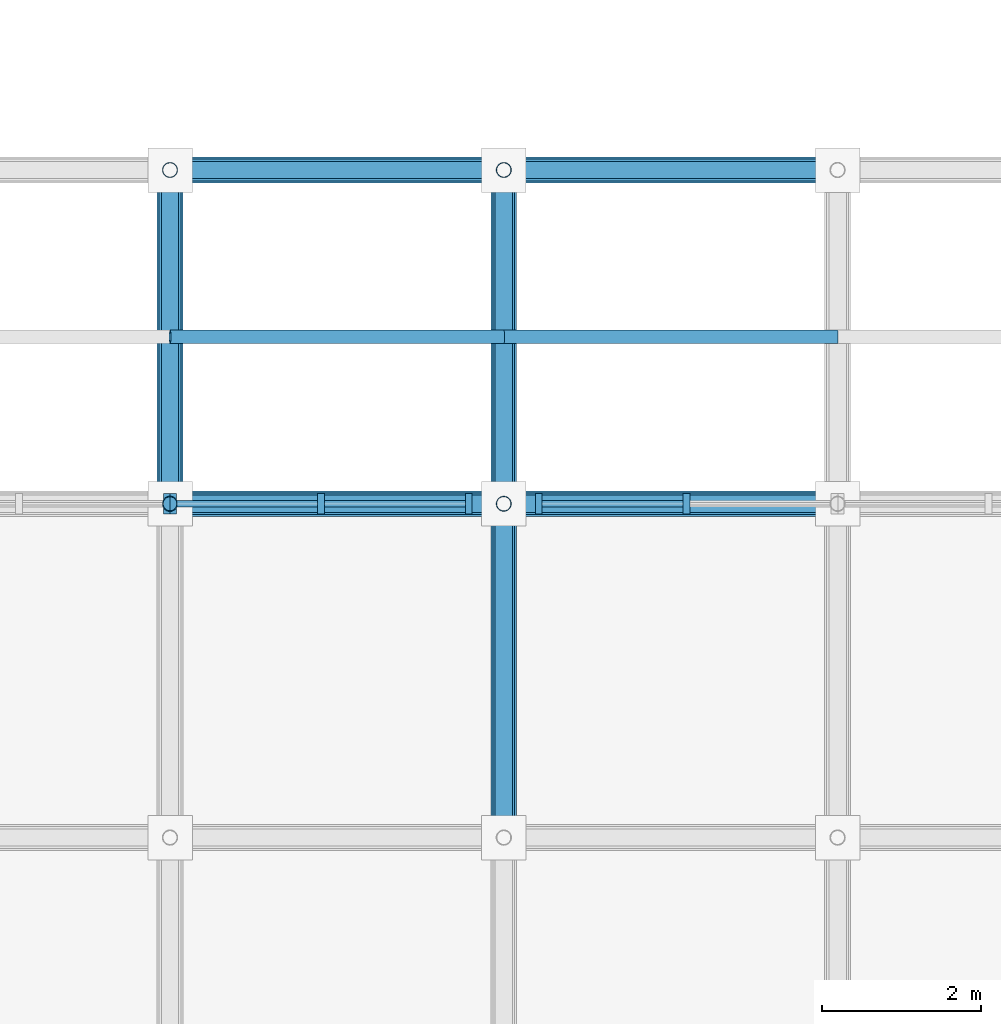
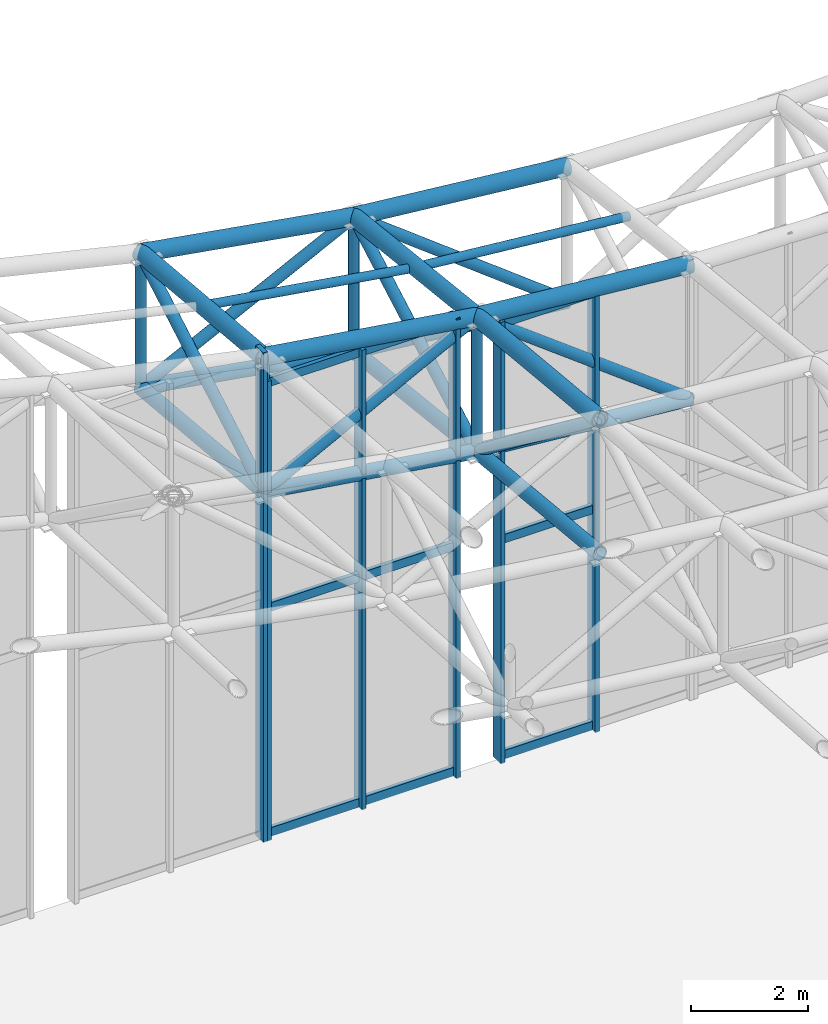
# One storey, part 48 of 93: 42 members, 3 elements without a shape of their own.
"""IFC4 building model written with IfcOpenShell, lengths in metres."""

from ifc_helpers import new_model, si_unit, direction, frame, origin, origin_2d, place, context, subcontext, project, spatial, rectangle, hollow_circle, extrude, material, material_profile, profile_set, type_object, element, aggregate, save


model = new_model("IFC4")

# Units and contexts
model_context = context("Model", 3, precision=1e-05, world=origin(), true_north=direction((0.0, 1.0)))
body_context = subcontext(model_context, "Body", "Model", "MODEL_VIEW")
ifc_project = project(units=[si_unit("LENGTHUNIT", "METRE"), si_unit("AREAUNIT", "SQUARE_METRE"), si_unit("VOLUMEUNIT", "CUBIC_METRE"), si_unit("PLANEANGLEUNIT", "RADIAN"), si_unit("MASSUNIT", "GRAM", prefix="KILO")], contexts=[model_context])

# Site, building, storey
site_placement = place(None, origin())
site = spatial("IfcSite", under=ifc_project, at=site_placement, CompositionType="ELEMENT")
building_placement = place(site_placement, origin())
building = spatial("IfcBuilding", under=site, at=building_placement, Name="Cumbredor Promenade Congress Hotel", CompositionType="ELEMENT")
storey_placement = place(building_placement, frame((0.0, 0.0, 21.840087890625)))
storey = spatial("IfcBuildingStorey", under=building, at=storey_placement, Name="L06", CompositionType="ELEMENT", Elevation=21.840087890625)

# Curtain wall, member
ifc_material_1 = material(Name="Thermally broken anodized aluminium and low-E glass", Category="aluminium")
curtain_wall_type = type_object("IfcCurtainWallType", Name="Stepped Pavilion Clerestory Curtain Wall CW-06", PredefinedType="NOTDEFINED", material=ifc_material_1)
curtain_wall_1_placement = place(storey_placement, origin())
curtain_wall_1 = element("IfcCurtainWall", 1, at=curtain_wall_1_placement, inside=storey, type_object=curtain_wall_type, Name="Plenary Congress Hall N Glazed Clerestory 3", PredefinedType="NOTDEFINED")
ifc_material_2 = material(Name="Thermally broken anodized aluminium", Category="aluminium")
ifc_material_profile_1 = material_profile(ifc_material_2, rectangle(XDim=0.0849609375, YDim=0.260009765625, at=origin_2d()), Name="ALU MULLION CLERESTORY 85x260")
ifc_profile_set_1 = profile_set([ifc_material_profile_1], Name="Thermally broken anodized aluminium")
member_type_1 = type_object("IfcMemberType", Name="Curtain Wall Mullion ML-04", PredefinedType="MULLION", material=ifc_profile_set_1)
member_1_placement = place(storey_placement, frame((20.9599609375, 67.199951171875, -0.01806640625), z_axis=(0.0, 0.0, 1.0), x_axis=(1.0, 0.0, 0.0)))
member_1 = element("IfcMember", 2, at=member_1_placement, type_object=member_type_1, Name="Plenary Congress Hall N Glazed Clerestory 3 Mullion 3", PredefinedType="MULLION", context=body_context, shape_type="SweptSolid", body=[
    extrude(rectangle(XDim=0.0849609375, YDim=0.260009765625, at=origin_2d()), origin(), (0.0, 0.0, 1.0), 10.208251953125),
])
aggregate(curtain_wall_1, [member_1])

# Curtain wall, members
curtain_wall_2_placement = place(storey_placement, origin())
curtain_wall_2 = element("IfcCurtainWall", 3, at=curtain_wall_2_placement, inside=storey, type_object=curtain_wall_type, Name="Plenary Congress Hall N Glazed Clerestory 4", PredefinedType="NOTDEFINED")
member_2_placement = place(storey_placement, frame((21.0400390625, 67.199951171875, -0.01806640625), z_axis=(0.0, 0.0, 1.0), x_axis=(1.0, 0.0, 0.0)))
member_2 = element("IfcMember", 4, at=member_2_placement, type_object=member_type_1, Name="Plenary Congress Hall N Glazed Clerestory 4 Mullion 1", PredefinedType="MULLION", context=body_context, shape_type="SweptSolid", body=[
    extrude(rectangle(XDim=0.0849609375, YDim=0.260009765625, at=origin_2d()), origin(), (0.0, 0.0, 1.0), 9.578369140625),
])
member_3_placement = place(storey_placement, frame((22.89990234375, 67.199951171875, -0.01806640625), z_axis=(0.0, 0.0, 1.0), x_axis=(1.0, 0.0, 0.0)))
member_3 = element("IfcMember", 5, at=member_3_placement, type_object=member_type_1, Name="Plenary Congress Hall N Glazed Clerestory 4 Mullion 2", PredefinedType="MULLION", context=body_context, shape_type="SweptSolid", body=[
    extrude(rectangle(XDim=0.0849609375, YDim=0.260009765625, at=origin_2d()), origin(), (0.0, 0.0, 1.0), 9.578369140625),
])
member_4_placement = place(storey_placement, frame((24.760009765625, 67.199951171875, -0.01806640625), z_axis=(0.0, 0.0, 1.0), x_axis=(1.0, 0.0, 0.0)))
member_4 = element("IfcMember", 6, at=member_4_placement, type_object=member_type_1, Name="Plenary Congress Hall N Glazed Clerestory 4 Mullion 3", PredefinedType="MULLION", context=body_context, shape_type="SweptSolid", body=[
    extrude(rectangle(XDim=0.0849609375, YDim=0.260009765625, at=origin_2d()), origin(), (0.0, 0.0, 1.0), 9.578369140625),
])

curtain_wall_3_placement = place(storey_placement, origin())
curtain_wall_3 = element("IfcCurtainWall", 7, at=curtain_wall_3_placement, inside=storey, type_object=curtain_wall_type, Name="Plenary Congress Hall N Glazed Clerestory 5", PredefinedType="NOTDEFINED")
member_5_placement = place(storey_placement, frame((25.639892578125, 67.199951171875, -0.01806640625), z_axis=(0.0, 0.0, 1.0), x_axis=(1.0, 0.0, 0.0)))
member_5 = element("IfcMember", 8, at=member_5_placement, type_object=member_type_1, Name="Plenary Congress Hall N Glazed Clerestory 5 Mullion 1", PredefinedType="MULLION", context=body_context, shape_type="SweptSolid", body=[
    extrude(rectangle(XDim=0.0849609375, YDim=0.260009765625, at=origin_2d()), origin(), (0.0, 0.0, 1.0), 9.20068359375),
])
member_6_placement = place(storey_placement, frame((27.5, 67.199951171875, -0.01806640625), z_axis=(0.0, 0.0, 1.0), x_axis=(1.0, 0.0, 0.0)))
member_6 = element("IfcMember", 9, at=member_6_placement, type_object=member_type_1, Name="Plenary Congress Hall N Glazed Clerestory 5 Mullion 2", PredefinedType="MULLION", context=body_context, shape_type="SweptSolid", body=[
    extrude(rectangle(XDim=0.0849609375, YDim=0.260009765625, at=origin_2d()), origin(), (0.0, 0.0, 1.0), 9.20068359375),
])

# Member
ifc_material_profile_2 = material_profile(ifc_material_2, rectangle(XDim=0.080078125, YDim=0.179931640625, at=origin_2d()), Name="ALU TRANSOM 80x180")
ifc_profile_set_2 = profile_set([ifc_material_profile_2], Name="Thermally broken anodized aluminium")
member_type_2 = type_object("IfcMemberType", Name="Curtain Wall Transom TR-03", PredefinedType="USERDEFINED", material=ifc_profile_set_2)
member_7_placement = place(storey_placement, frame((21.08251953125, 67.199951171875, 0.079833984375), z_axis=(1.0, 0.0, 0.0), x_axis=(0.0, 1.0, 0.0)))
member_7 = element("IfcMember", 10, at=member_7_placement, type_object=member_type_2, Name="Plenary Congress Hall N Glazed Clerestory 4 Transom 1.1", ObjectType="TRANSOM", PredefinedType="USERDEFINED", context=body_context, shape_type="SweptSolid", body=[
    extrude(rectangle(XDim=0.080078125, YDim=0.179931640625, at=origin_2d()), origin(), (0.0, 0.0, 1.0), 1.77490234375),
])

member_8_placement = place(storey_placement, frame((21.08251953125, 67.199951171875, 4.77001953125), z_axis=(1.0, 0.0, 0.0), x_axis=(0.0, 1.0, 0.0)))
member_8 = element("IfcMember", 11, at=member_8_placement, type_object=member_type_2, Name="Plenary Congress Hall N Glazed Clerestory 4 Transom 1.2", ObjectType="TRANSOM", PredefinedType="USERDEFINED", context=body_context, shape_type="SweptSolid", body=[
    extrude(rectangle(XDim=0.080078125, YDim=0.179931640625, at=origin_2d()), origin(), (0.0, 0.0, 1.0), 1.77490234375),
])

member_9_placement = place(storey_placement, frame((21.08251953125, 67.199951171875, 9.4599609375), z_axis=(1.0, 0.0, 0.0), x_axis=(0.0, 1.0, 0.0)))
member_9 = element("IfcMember", 12, at=member_9_placement, type_object=member_type_2, Name="Plenary Congress Hall N Glazed Clerestory 4 Transom 1.3", ObjectType="TRANSOM", PredefinedType="USERDEFINED", context=body_context, shape_type="SweptSolid", body=[
    extrude(rectangle(XDim=0.080078125, YDim=0.179931640625, at=origin_2d()), origin(), (0.0, 0.0, 1.0), 1.77490234375),
])

member_10_placement = place(storey_placement, frame((22.9423828125, 67.199951171875, 0.079833984375), z_axis=(1.0, 0.0, 0.0), x_axis=(0.0, 1.0, 0.0)))
member_10 = element("IfcMember", 13, at=member_10_placement, type_object=member_type_2, Name="Plenary Congress Hall N Glazed Clerestory 4 Transom 2.1", ObjectType="TRANSOM", PredefinedType="USERDEFINED", context=body_context, shape_type="SweptSolid", body=[
    extrude(rectangle(XDim=0.080078125, YDim=0.179931640625, at=origin_2d()), origin(), (0.0, 0.0, 1.0), 1.775146484375),
])

member_11_placement = place(storey_placement, frame((22.9423828125, 67.199951171875, 4.77001953125), z_axis=(1.0, 0.0, 0.0), x_axis=(0.0, 1.0, 0.0)))
member_11 = element("IfcMember", 14, at=member_11_placement, type_object=member_type_2, Name="Plenary Congress Hall N Glazed Clerestory 4 Transom 2.2", ObjectType="TRANSOM", PredefinedType="USERDEFINED", context=body_context, shape_type="SweptSolid", body=[
    extrude(rectangle(XDim=0.080078125, YDim=0.179931640625, at=origin_2d()), origin(), (0.0, 0.0, 1.0), 1.775146484375),
])

member_12_placement = place(storey_placement, frame((22.9423828125, 67.199951171875, 9.4599609375), z_axis=(1.0, 0.0, 0.0), x_axis=(0.0, 1.0, 0.0)))
member_12 = element("IfcMember", 15, at=member_12_placement, type_object=member_type_2, Name="Plenary Congress Hall N Glazed Clerestory 4 Transom 2.3", ObjectType="TRANSOM", PredefinedType="USERDEFINED", context=body_context, shape_type="SweptSolid", body=[
    extrude(rectangle(XDim=0.080078125, YDim=0.179931640625, at=origin_2d()), origin(), (0.0, 0.0, 1.0), 1.775146484375),
])

aggregate(curtain_wall_2, [member_2, member_3, member_4, member_7, member_8, member_9, member_10, member_11, member_12])

member_13_placement = place(storey_placement, frame((25.6826171875, 67.199951171875, 0.079833984375), z_axis=(1.0, 0.0, 0.0), x_axis=(0.0, 1.0, 0.0)))
member_13 = element("IfcMember", 16, at=member_13_placement, type_object=member_type_2, Name="Plenary Congress Hall N Glazed Clerestory 5 Transom 1.1", ObjectType="TRANSOM", PredefinedType="USERDEFINED", context=body_context, shape_type="SweptSolid", body=[
    extrude(rectangle(XDim=0.080078125, YDim=0.179931640625, at=origin_2d()), origin(), (0.0, 0.0, 1.0), 1.77490234375),
])

member_14_placement = place(storey_placement, frame((25.6826171875, 67.199951171875, 4.579833984375), z_axis=(1.0, 0.0, 0.0), x_axis=(0.0, 1.0, 0.0)))
member_14 = element("IfcMember", 17, at=member_14_placement, type_object=member_type_2, Name="Plenary Congress Hall N Glazed Clerestory 5 Transom 1.2", ObjectType="TRANSOM", PredefinedType="USERDEFINED", context=body_context, shape_type="SweptSolid", body=[
    extrude(rectangle(XDim=0.080078125, YDim=0.179931640625, at=origin_2d()), origin(), (0.0, 0.0, 1.0), 1.77490234375),
])

member_15_placement = place(storey_placement, frame((25.6826171875, 67.199951171875, 9.079833984375), z_axis=(1.0, 0.0, 0.0), x_axis=(0.0, 1.0, 0.0)))
member_15 = element("IfcMember", 18, at=member_15_placement, type_object=member_type_2, Name="Plenary Congress Hall N Glazed Clerestory 5 Transom 1.3", ObjectType="TRANSOM", PredefinedType="USERDEFINED", context=body_context, shape_type="SweptSolid", body=[
    extrude(rectangle(XDim=0.080078125, YDim=0.179931640625, at=origin_2d()), origin(), (0.0, 0.0, 1.0), 1.77490234375),
])

aggregate(curtain_wall_3, [member_5, member_6, member_13, member_14, member_15])

# Members
ifc_material_3 = material(Name="Steel ASTM A500 Grade C", Category="steel")
ifc_material_profile_3 = material_profile(ifc_material_3, hollow_circle(Radius=0.136474609375, WallThickness=0.01611328125, at=origin_2d()), Name="CHS 273.0x16")
ifc_profile_set_3 = profile_set([ifc_material_profile_3], Name="Steel ASTM A500 Grade C")
member_type_3 = type_object("IfcMemberType", Name="Plenary Roof Space Frame Bottom Chord", PredefinedType="CHORD", material=ifc_profile_set_3)
member_16_placement = place(storey_placement, frame((21.0, 67.199951171875, 7.202392578125), z_axis=(0.988940147497, 0.0, -0.148315153202), x_axis=(0.0, 1.0, 0.0)))
element("IfcMember", 19, at=member_16_placement, inside=storey, type_object=member_type_3, Name="Plenary Congress Hall X Bottom Chord 7.17", PredefinedType="CHORD", context=body_context, shape_type="SweptSolid", body=[
    extrude(hollow_circle(Radius=0.136474609375, WallThickness=0.01611328125, at=origin_2d()), origin(), (0.0, 0.0, 1.0), 4.246826171875),
])
member_17_placement = place(storey_placement, frame((25.199951171875, 67.199951171875, 6.572509765625), z_axis=(0.995981000489, 0.0, -0.089564762411), x_axis=(0.0, 1.0, 0.0)))
element("IfcMember", 20, at=member_17_placement, inside=storey, type_object=member_type_3, Name="Plenary Congress Hall X Bottom Chord 8.17", PredefinedType="CHORD", context=body_context, shape_type="SweptSolid", body=[
    extrude(hollow_circle(Radius=0.136474609375, WallThickness=0.01611328125, at=origin_2d()), origin(), (0.0, 0.0, 1.0), 4.216796875),
])
member_18_placement = place(storey_placement, frame((21.0, 71.39990234375, 6.82080078125), z_axis=(0.98588906313, 0.0, -0.167399985665), x_axis=(0.0, 1.0, 0.0)))
element("IfcMember", 21, at=member_18_placement, inside=storey, type_object=member_type_3, Name="Plenary Congress Hall X Bottom Chord 7.18", PredefinedType="CHORD", context=body_context, shape_type="SweptSolid", body=[
    extrude(hollow_circle(Radius=0.136474609375, WallThickness=0.01611328125, at=origin_2d()), origin(), (0.0, 0.0, 1.0), 4.260009765625),
])
member_19_placement = place(storey_placement, frame((25.199951171875, 71.39990234375, 6.107666015625), z_axis=(0.994854027888, 0.0, -0.101318622151), x_axis=(0.0, 1.0, 0.0)))
element("IfcMember", 22, at=member_19_placement, inside=storey, type_object=member_type_3, Name="Plenary Congress Hall X Bottom Chord 8.18", PredefinedType="CHORD", context=body_context, shape_type="SweptSolid", body=[
    extrude(hollow_circle(Radius=0.136474609375, WallThickness=0.01611328125, at=origin_2d()), origin(), (0.0, 0.0, 1.0), 4.2216796875),
])
member_20_placement = place(storey_placement, frame((21.0, 67.199951171875, 7.202392578125), z_axis=(0.0, 0.995897950259, -0.090483549163), x_axis=(-1.0, 0.0, 0.0)))
element("IfcMember", 23, at=member_20_placement, inside=storey, type_object=member_type_3, Name="Plenary Congress Hall Y Bottom Chord 7.17", PredefinedType="CHORD", context=body_context, shape_type="SweptSolid", body=[
    extrude(hollow_circle(Radius=0.136474609375, WallThickness=0.01611328125, at=origin_2d()), origin(), (0.0, 0.0, 1.0), 4.21728515625),
])
member_21_placement = place(storey_placement, frame((25.199951171875, 63.0, 6.980224609375), z_axis=(0.0, 0.995321159621, -0.096621887843), x_axis=(-1.0, 0.0, 0.0)))
element("IfcMember", 24, at=member_21_placement, inside=storey, type_object=member_type_3, Name="Plenary Congress Hall Y Bottom Chord 8.16", PredefinedType="CHORD", context=body_context, shape_type="SweptSolid", body=[
    extrude(hollow_circle(Radius=0.136474609375, WallThickness=0.01611328125, at=origin_2d()), origin(), (0.0, 0.0, 1.0), 4.2197265625),
])
member_22_placement = place(storey_placement, frame((25.199951171875, 67.199951171875, 6.572509765625), z_axis=(0.0, 0.993930851571, -0.110006646596), x_axis=(-1.0, 0.0, 0.0)))
element("IfcMember", 25, at=member_22_placement, inside=storey, type_object=member_type_3, Name="Plenary Congress Hall Y Bottom Chord 8.17", PredefinedType="CHORD", context=body_context, shape_type="SweptSolid", body=[
    extrude(hollow_circle(Radius=0.136474609375, WallThickness=0.01611328125, at=origin_2d()), origin(), (0.0, 0.0, 1.0), 4.2255859375),
])
ifc_material_profile_4 = material_profile(ifc_material_3, hollow_circle(Radius=0.161865234375, WallThickness=0.01611328125, at=origin_2d()), Name="CHS 323.9x16")
ifc_profile_set_4 = profile_set([ifc_material_profile_4], Name="Steel ASTM A500 Grade C")
member_type_4 = type_object("IfcMemberType", Name="Plenary Roof Space Frame Top Chord", PredefinedType="CHORD", material=ifc_profile_set_4)
member_23_placement = place(storey_placement, frame((21.0, 67.199951171875, 10.002197265625), z_axis=(0.988948577791, 0.0, -0.148258930542), x_axis=(0.0, 1.0, 0.0)))
element("IfcMember", 26, at=member_23_placement, inside=storey, type_object=member_type_4, Name="Plenary Congress Hall X Top Chord 7.17", PredefinedType="CHORD", context=body_context, shape_type="SweptSolid", body=[
    extrude(hollow_circle(Radius=0.161865234375, WallThickness=0.01611328125, at=origin_2d()), origin(), (0.0, 0.0, 1.0), 4.246826171875),
])
member_24_placement = place(storey_placement, frame((25.199951171875, 67.199951171875, 9.37255859375), z_axis=(0.995975834279, 0.0, -0.089622193307), x_axis=(0.0, 1.0, 0.0)))
element("IfcMember", 27, at=member_24_placement, inside=storey, type_object=member_type_4, Name="Plenary Congress Hall X Top Chord 8.17", PredefinedType="CHORD", context=body_context, shape_type="SweptSolid", body=[
    extrude(hollow_circle(Radius=0.161865234375, WallThickness=0.01611328125, at=origin_2d()), origin(), (0.0, 0.0, 1.0), 4.217041015625),
])
member_25_placement = place(storey_placement, frame((21.0, 71.39990234375, 9.620849609375), z_axis=(0.98588906313, 0.0, -0.167399985665), x_axis=(0.0, 1.0, 0.0)))
element("IfcMember", 28, at=member_25_placement, inside=storey, type_object=member_type_4, Name="Plenary Congress Hall X Top Chord 7.18", PredefinedType="CHORD", context=body_context, shape_type="SweptSolid", body=[
    extrude(hollow_circle(Radius=0.161865234375, WallThickness=0.01611328125, at=origin_2d()), origin(), (0.0, 0.0, 1.0), 4.260009765625),
])
member_26_placement = place(storey_placement, frame((25.199951171875, 71.39990234375, 8.90771484375), z_axis=(0.994854027888, 0.0, -0.101318622151), x_axis=(0.0, 1.0, 0.0)))
element("IfcMember", 29, at=member_26_placement, inside=storey, type_object=member_type_4, Name="Plenary Congress Hall X Top Chord 8.18", PredefinedType="CHORD", context=body_context, shape_type="SweptSolid", body=[
    extrude(hollow_circle(Radius=0.161865234375, WallThickness=0.01611328125, at=origin_2d()), origin(), (0.0, 0.0, 1.0), 4.2216796875),
])
member_27_placement = place(storey_placement, frame((21.0, 67.199951171875, 10.002197265625), z_axis=(0.0, 0.995903165323, -0.090426131735), x_axis=(-1.0, 0.0, 0.0)))
element("IfcMember", 30, at=member_27_placement, inside=storey, type_object=member_type_4, Name="Plenary Congress Hall Y Top Chord 7.17", PredefinedType="CHORD", context=body_context, shape_type="SweptSolid", body=[
    extrude(hollow_circle(Radius=0.161865234375, WallThickness=0.01611328125, at=origin_2d()), origin(), (0.0, 0.0, 1.0), 4.21728515625),
])
member_28_placement = place(storey_placement, frame((25.199951171875, 63.0, 9.7802734375), z_axis=(0.0, 0.995321159621, -0.096621887843), x_axis=(-1.0, 0.0, 0.0)))
element("IfcMember", 31, at=member_28_placement, inside=storey, type_object=member_type_4, Name="Plenary Congress Hall Y Top Chord 8.16", PredefinedType="CHORD", context=body_context, shape_type="SweptSolid", body=[
    extrude(hollow_circle(Radius=0.161865234375, WallThickness=0.01611328125, at=origin_2d()), origin(), (0.0, 0.0, 1.0), 4.2197265625),
])
member_29_placement = place(storey_placement, frame((25.199951171875, 67.199951171875, 9.37255859375), z_axis=(0.0, 0.993930851571, -0.110006646596), x_axis=(-1.0, 0.0, 0.0)))
element("IfcMember", 32, at=member_29_placement, inside=storey, type_object=member_type_4, Name="Plenary Congress Hall Y Top Chord 8.17", PredefinedType="CHORD", context=body_context, shape_type="SweptSolid", body=[
    extrude(hollow_circle(Radius=0.161865234375, WallThickness=0.01611328125, at=origin_2d()), origin(), (0.0, 0.0, 1.0), 4.2255859375),
])
ifc_material_profile_5 = material_profile(ifc_material_3, hollow_circle(Radius=0.084228515625, WallThickness=0.010009765625, at=origin_2d()), Name="CHS 168.3x10")
ifc_profile_set_5 = profile_set([ifc_material_profile_5], Name="Steel ASTM A500 Grade C")
member_type_5 = type_object("IfcMemberType", Name="Roof Purlin CHS168", PredefinedType="PURLIN", material=ifc_profile_set_5)
member_30_placement = place(storey_placement, frame((21.0, 69.300048828125, 9.79150390625), z_axis=(0.987462830201, 0.0, -0.1578516993), x_axis=(0.0, 1.0, 0.0)))
element("IfcMember", 33, at=member_30_placement, inside=storey, type_object=member_type_5, Name="Plenary Congress Hall Roof Eave Purlin 7.17", PredefinedType="PURLIN", context=body_context, shape_type="SweptSolid", body=[
    extrude(hollow_circle(Radius=0.084228515625, WallThickness=0.010009765625, at=origin_2d()), origin(), (0.0, 0.0, 1.0), 4.253173828125),
])
member_31_placement = place(storey_placement, frame((25.199951171875, 69.300048828125, 9.1201171875), z_axis=(0.995431794438, 0.0, -0.095475350859), x_axis=(0.0, 1.0, 0.0)))
element("IfcMember", 34, at=member_31_placement, inside=storey, type_object=member_type_5, Name="Plenary Congress Hall Roof Eave Purlin 8.17", PredefinedType="PURLIN", context=body_context, shape_type="SweptSolid", body=[
    extrude(hollow_circle(Radius=0.084228515625, WallThickness=0.010009765625, at=origin_2d()), origin(), (0.0, 0.0, 1.0), 4.21923828125),
])
ifc_material_profile_6 = material_profile(ifc_material_3, hollow_circle(Radius=0.109619140625, WallThickness=0.012451171875, at=origin_2d()), Name="CHS 219.1x12.5")
ifc_profile_set_6 = profile_set([ifc_material_profile_6], Name="Steel ASTM A500 Grade C")
member_type_6 = type_object("IfcMemberType", Name="Space Frame Web Diagonal D1", PredefinedType="BRACE", material=ifc_profile_set_6)
member_32_placement = place(storey_placement, frame((21.0, 67.199951171875, 7.202392578125), z_axis=(0.888409409152, 0.0, 0.459051981512), x_axis=(0.0, 1.0, 0.0)))
element("IfcMember", 35, at=member_32_placement, inside=storey, type_object=member_type_6, Name="Plenary Congress Hall X Web Diagonal 7.17", PredefinedType="BRACE", context=body_context, shape_type="SweptSolid", body=[
    extrude(hollow_circle(Radius=0.109619140625, WallThickness=0.012451171875, at=origin_2d()), origin(), (0.0, 0.0, 1.0), 4.7275390625),
])
member_33_placement = place(storey_placement, frame((25.199951171875, 67.199951171875, 9.37255859375), z_axis=(0.79746184577, 0.0, -0.603369376536), x_axis=(0.0, 1.0, 0.0)))
element("IfcMember", 36, at=member_33_placement, inside=storey, type_object=member_type_6, Name="Plenary Congress Hall X Web Diagonal 8.17", PredefinedType="BRACE", context=body_context, shape_type="SweptSolid", body=[
    extrude(hollow_circle(Radius=0.109619140625, WallThickness=0.012451171875, at=origin_2d()), origin(), (0.0, 0.0, 1.0), 5.2666015625),
])
member_34_placement = place(storey_placement, frame((21.0, 71.39990234375, 6.82080078125), z_axis=(0.895538438057, 0.0, 0.444984163722), x_axis=(0.0, 1.0, 0.0)))
element("IfcMember", 37, at=member_34_placement, inside=storey, type_object=member_type_6, Name="Plenary Congress Hall X Web Diagonal 7.18", PredefinedType="BRACE", context=body_context, shape_type="SweptSolid", body=[
    extrude(hollow_circle(Radius=0.109619140625, WallThickness=0.012451171875, at=origin_2d()), origin(), (0.0, 0.0, 1.0), 4.68994140625),
])
member_35_placement = place(storey_placement, frame((25.199951171875, 71.39990234375, 8.90771484375), z_axis=(0.79289291533, 0.0, -0.609360997127), x_axis=(0.0, 1.0, 0.0)))
element("IfcMember", 38, at=member_35_placement, inside=storey, type_object=member_type_6, Name="Plenary Congress Hall X Web Diagonal 8.18", PredefinedType="BRACE", context=body_context, shape_type="SweptSolid", body=[
    extrude(hollow_circle(Radius=0.109619140625, WallThickness=0.012451171875, at=origin_2d()), origin(), (0.0, 0.0, 1.0), 5.296875),
])
member_36_placement = place(storey_placement, frame((21.0, 67.199951171875, 7.202392578125), z_axis=(0.0, 0.866595392244, 0.499011448908), x_axis=(-1.0, 0.0, 0.0)))
element("IfcMember", 39, at=member_36_placement, inside=storey, type_object=member_type_6, Name="Plenary Congress Hall Y Web Diagonal 7.17", PredefinedType="BRACE", context=body_context, shape_type="SweptSolid", body=[
    extrude(hollow_circle(Radius=0.109619140625, WallThickness=0.012451171875, at=origin_2d()), origin(), (0.0, 0.0, 1.0), 4.846435546875),
])
member_37_placement = place(storey_placement, frame((25.199951171875, 63.0, 9.7802734375), z_axis=(0.0, 0.794719598753, -0.606976737082), x_axis=(-1.0, 0.0, 0.0)))
element("IfcMember", 40, at=member_37_placement, inside=storey, type_object=member_type_6, Name="Plenary Congress Hall Y Web Diagonal 8.16", PredefinedType="BRACE", context=body_context, shape_type="SweptSolid", body=[
    extrude(hollow_circle(Radius=0.109619140625, WallThickness=0.012451171875, at=origin_2d()), origin(), (0.0, 0.0, 1.0), 5.284912109375),
])
member_38_placement = place(storey_placement, frame((25.199951171875, 67.199951171875, 6.572509765625), z_axis=(0.0, 0.873989473329, 0.485944853363), x_axis=(-1.0, 0.0, 0.0)))
element("IfcMember", 41, at=member_38_placement, inside=storey, type_object=member_type_6, Name="Plenary Congress Hall Y Web Diagonal 8.17", PredefinedType="BRACE", context=body_context, shape_type="SweptSolid", body=[
    extrude(hollow_circle(Radius=0.109619140625, WallThickness=0.012451171875, at=origin_2d()), origin(), (0.0, 0.0, 1.0), 4.805419921875),
])
ifc_material_profile_7 = material_profile(ifc_material_3, hollow_circle(Radius=0.096923828125, WallThickness=0.010009765625, at=origin_2d()), Name="CHS 193.7x10")
ifc_profile_set_7 = profile_set([ifc_material_profile_7], Name="Steel ASTM A500 Grade C")
member_type_7 = type_object("IfcMemberType", Name="Space Frame Web Post P1", PredefinedType="BRACE", material=ifc_profile_set_7)
member_39_placement = place(storey_placement, frame((21.0, 67.199951171875, 7.202392578125), z_axis=(0.0, 0.0, 1.0), x_axis=(1.0, 0.0, 0.0)))
element("IfcMember", 42, at=member_39_placement, inside=storey, type_object=member_type_7, Name="Plenary Congress Hall Space Frame Web Post 7.17", PredefinedType="BRACE", context=body_context, shape_type="SweptSolid", body=[
    extrude(hollow_circle(Radius=0.096923828125, WallThickness=0.010009765625, at=origin_2d()), origin(), (0.0, 0.0, 1.0), 2.7998046875),
])
for number, where, z_axis, x_axis, name in (
    (43, (21.0, 71.39990234375, 6.82080078125), (0.0, 0.0, 1.0), (1.0, 0.0, 0.0), "Plenary Congress Hall Space Frame Web Post 7.18"),
    (44, (25.199951171875, 67.199951171875, 6.572509765625), (0.0, 0.0, 1.0), (1.0, 0.0, 0.0), "Plenary Congress Hall Space Frame Web Post 8.17"),
    (45, (25.199951171875, 71.39990234375, 6.107666015625), (0.0, 0.0, 1.0), (1.0, 0.0, 0.0), "Plenary Congress Hall Space Frame Web Post 8.18"),
):
    element("IfcMember", number, at=place(storey_placement, frame(where, z_axis=z_axis, x_axis=x_axis)), inside=storey, type_object=member_type_7, Name=name, PredefinedType="BRACE", context=body_context, shape_type="SweptSolid", body=[
        extrude(hollow_circle(Radius=0.096923828125, WallThickness=0.010009765625, at=origin_2d()), origin(), (0.0, 0.0, 1.0), 2.800048828125),
    ])

save(model, "model.ifc")
